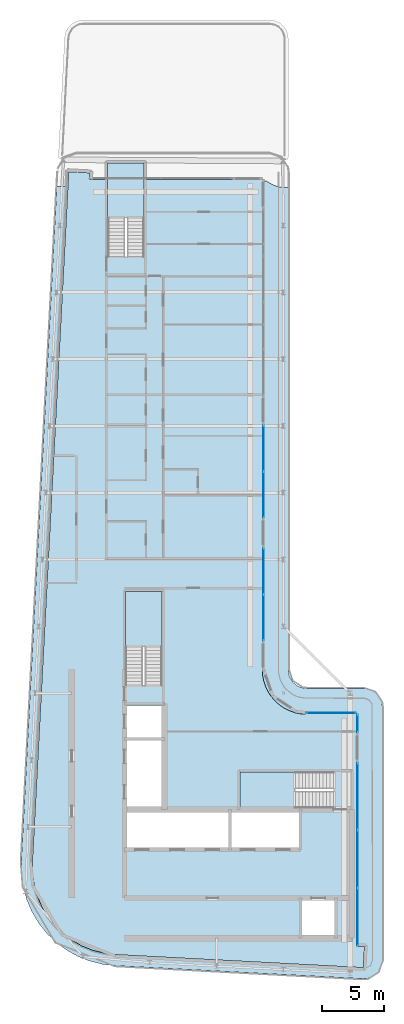
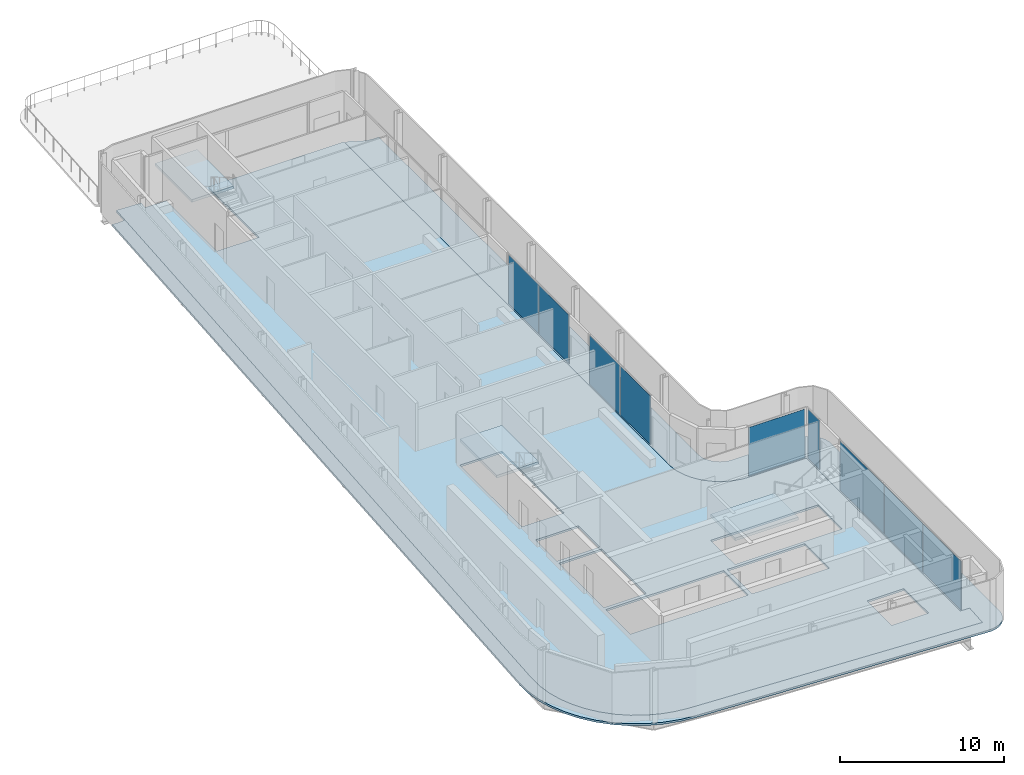
# One storey, part 7 of 15: 9 plates, 5 slabs, 9 elements without a shape of their own.
"""IFC4 building model written with IfcOpenShell, lengths in metres."""

from ifc_helpers import new_model, si_unit, direction, frame, origin, origin_2d, place, context, subcontext, project, spatial, polyline, rectangle, outline, extrude, material, layer, layer_set, type_object, element, aggregate, save


model = new_model("IFC4")

# Units and contexts
model_context = context("Model", 3, precision=1e-05, world=origin(), true_north=direction((0.0, 1.0)))
body_context = subcontext(model_context, "Body", "Model", "MODEL_VIEW")
ifc_project = project(units=[si_unit("LENGTHUNIT", "METRE"), si_unit("AREAUNIT", "SQUARE_METRE"), si_unit("VOLUMEUNIT", "CUBIC_METRE"), si_unit("PLANEANGLEUNIT", "RADIAN"), si_unit("MASSUNIT", "GRAM", prefix="KILO")], contexts=[model_context])

# Site, building, storey
site_placement = place(None, origin())
site = spatial("IfcSite", under=ifc_project, at=site_placement, CompositionType="ELEMENT")
building_placement = place(site_placement, origin())
building = spatial("IfcBuilding", under=site, at=building_placement, Name="Kheshtan School and Residences Tower", CompositionType="ELEMENT")
storey_placement = place(building_placement, frame((0.0, 0.0, 338.300048828125)))
storey = spatial("IfcBuildingStorey", under=building, at=storey_placement, Name="L79", CompositionType="ELEMENT", Elevation=338.300048828125)

# Curtain wall, plate
ifc_material_1 = material(Name="Clear low-e glass in thermally broken aluminium frame", Category="aluminium")
ifc_layer_1 = layer(ifc_material_1, 0.199951171875)
ifc_layer_set_1 = layer_set([ifc_layer_1], Name="Curtain wall CW-B")
curtain_wall_type_1 = type_object("IfcCurtainWallType", Name="Curtain wall CW-B", PredefinedType="NOTDEFINED", material=ifc_layer_set_1)
curtain_wall_1_placement = place(storey_placement, origin())
curtain_wall_1 = element("IfcCurtainWall", 1, at=curtain_wall_1_placement, inside=storey, type_object=curtain_wall_type_1, Name="Curtain wall CWB8", PredefinedType="NOTDEFINED")
ifc_layer_2 = layer(ifc_material_1, 0.031982421875)
ifc_layer_set_2 = layer_set([ifc_layer_2], Name="CW-B glass panel")
plate_type_1 = type_object("IfcPlateType", Name="CW-B glass panel", PredefinedType="CURTAIN_PANEL", material=ifc_layer_set_2)
plate_1_placement = place(storey_placement, frame((51.465087890625, 44.0, 0.0), z_axis=(0.0, 0.0, 1.0), x_axis=(1.0, 0.0, 0.0)))
plate_1 = element("IfcPlate", 2, at=plate_1_placement, type_object=plate_type_1, Name="CWB8 panel 1.1", PredefinedType="CURTAIN_PANEL", context=body_context, shape_type="SweptSolid", body=[
    extrude(rectangle(XDim=3.949951171875, YDim=0.031982421875, at=origin_2d()), origin(), (0.0, 0.0, 1.0), 3.6298828125),
])
aggregate(curtain_wall_1, [plate_1])

# Curtain wall, plates
ifc_layer_3 = layer(ifc_material_1, 0.199951171875)
ifc_layer_set_3 = layer_set([ifc_layer_3], Name="Curtain wall CW-L")
curtain_wall_type_2 = type_object("IfcCurtainWallType", Name="Curtain wall CW-L", PredefinedType="NOTDEFINED", material=ifc_layer_set_3)
curtain_wall_2_placement = place(storey_placement, origin())
curtain_wall_2 = element("IfcCurtainWall", 3, at=curtain_wall_2_placement, inside=storey, type_object=curtain_wall_type_2, Name="Curtain wall CWL4a", PredefinedType="NOTDEFINED")
ifc_layer_4 = layer(ifc_material_1, 0.031982421875)
ifc_layer_set_4 = layer_set([ifc_layer_4], Name="CW-L glass panel")
plate_type_2 = type_object("IfcPlateType", Name="CW-L glass panel", PredefinedType="CURTAIN_PANEL", material=ifc_layer_set_4)
plate_2_placement = place(storey_placement, frame((46.0, 65.37060546875, 0.0), z_axis=(0.0, 0.0, 1.0), x_axis=(0.0, -1.0, 0.0)))
plate_2 = element("IfcPlate", 4, at=plate_2_placement, type_object=plate_type_2, Name="CWL4a panel 1.1", PredefinedType="CURTAIN_PANEL", context=body_context, shape_type="SweptSolid", body=[
    extrude(rectangle(XDim=3.668701171875, YDim=0.031982421875, at=origin_2d()), origin(), (0.0, 0.0, 1.0), 3.6298828125),
])
plate_3_placement = place(storey_placement, frame((46.0, 61.641845703125, 0.0), z_axis=(0.0, 0.0, 1.0), x_axis=(0.0, -1.0, 0.0)))
plate_3 = element("IfcPlate", 5, at=plate_3_placement, type_object=plate_type_2, Name="CWL4a panel 2.1", PredefinedType="CURTAIN_PANEL", context=body_context, shape_type="SweptSolid", body=[
    extrude(rectangle(XDim=3.668701171875, YDim=0.031982421875, at=origin_2d()), origin(), (0.0, 0.0, 1.0), 3.6298828125),
])
aggregate(curtain_wall_2, [plate_2, plate_3])

curtain_wall_3_placement = place(storey_placement, origin())
curtain_wall_3 = element("IfcCurtainWall", 6, at=curtain_wall_3_placement, inside=storey, type_object=curtain_wall_type_2, Name="Curtain wall CWL4a", PredefinedType="NOTDEFINED")
plate_4_placement = place(storey_placement, frame((46.0, 55.453125, 0.0), z_axis=(0.0, 0.0, 1.0), x_axis=(0.0, -1.0, 0.0)))
plate_4 = element("IfcPlate", 7, at=plate_4_placement, type_object=plate_type_2, Name="CWL4a panel 1.1", PredefinedType="CURTAIN_PANEL", context=body_context, shape_type="SweptSolid", body=[
    extrude(rectangle(XDim=3.668701171875, YDim=0.031982421875, at=origin_2d()), origin(), (0.0, 0.0, 1.0), 3.6298828125),
])
plate_5_placement = place(storey_placement, frame((46.0, 51.724365234375, 0.0), z_axis=(0.0, 0.0, 1.0), x_axis=(0.0, -1.0, 0.0)))
plate_5 = element("IfcPlate", 8, at=plate_5_placement, type_object=plate_type_2, Name="CWL4a panel 2.1", PredefinedType="CURTAIN_PANEL", context=body_context, shape_type="SweptSolid", body=[
    extrude(rectangle(XDim=3.668701171875, YDim=0.031982421875, at=origin_2d()), origin(), (0.0, 0.0, 1.0), 3.6298828125),
])
aggregate(curtain_wall_3, [plate_4, plate_5])

# Curtain wall, plate
curtain_wall_4_placement = place(storey_placement, origin())
curtain_wall_4 = element("IfcCurtainWall", 9, at=curtain_wall_4_placement, inside=storey, type_object=curtain_wall_type_2, Name="Curtain wall CWL9b", PredefinedType="NOTDEFINED")
plate_6_placement = place(storey_placement, frame((53.60009765625, 43.14990234375, 0.0), z_axis=(0.0, 0.0, 1.0), x_axis=(0.0, -1.0, 0.0)))
plate_6 = element("IfcPlate", 10, at=plate_6_placement, type_object=plate_type_2, Name="CWL9b panel 1.1", PredefinedType="CURTAIN_PANEL", context=body_context, shape_type="SweptSolid", body=[
    extrude(rectangle(XDim=1.3798828125, YDim=0.031982421875, at=origin_2d()), origin(), (0.0, 0.0, 1.0), 3.6298828125),
])
aggregate(curtain_wall_4, [plate_6])

curtain_wall_5_placement = place(storey_placement, origin())
curtain_wall_5 = element("IfcCurtainWall", 11, at=curtain_wall_5_placement, inside=storey, type_object=curtain_wall_type_2, Name="Curtain wall CWL9c", PredefinedType="NOTDEFINED")
plate_7_placement = place(storey_placement, frame((53.60009765625, 37.263916015625, 0.0), z_axis=(0.0, 0.0, 1.0), x_axis=(0.0, -1.0, 0.0)))
plate_7 = element("IfcPlate", 12, at=plate_7_placement, type_object=plate_type_2, Name="CWL9c panel 1.1", PredefinedType="CURTAIN_PANEL", context=body_context, shape_type="SweptSolid", body=[
    extrude(rectangle(XDim=5.35205078125, YDim=0.031982421875, at=origin_2d()), origin(), (0.0, 0.0, 1.0), 3.6298828125),
])
aggregate(curtain_wall_5, [plate_7])

# Curtain wall, plates
curtain_wall_6_placement = place(storey_placement, origin())
curtain_wall_6 = element("IfcCurtainWall", 13, at=curtain_wall_6_placement, inside=storey, type_object=curtain_wall_type_2, Name="Curtain wall CWL9d", PredefinedType="NOTDEFINED")
plate_8_placement = place(storey_placement, frame((53.60009765625, 32.199951171875, 0.0), z_axis=(0.0, 0.0, 1.0), x_axis=(0.0, -1.0, 0.0)))
plate_8 = element("IfcPlate", 14, at=plate_8_placement, type_object=plate_type_2, Name="CWL9d panel 1.1", PredefinedType="CURTAIN_PANEL", context=body_context, shape_type="SweptSolid", body=[
    extrude(rectangle(XDim=4.656005859375, YDim=0.031982421875, at=origin_2d()), origin(), (0.0, 0.0, 1.0), 3.6298828125),
])
plate_9_placement = place(storey_placement, frame((53.60009765625, 27.513916015625, 0.0), z_axis=(0.0, 0.0, 1.0), x_axis=(0.0, -1.0, 0.0)))
plate_9 = element("IfcPlate", 15, at=plate_9_placement, type_object=plate_type_2, Name="CWL9d panel 2.1", PredefinedType="CURTAIN_PANEL", context=body_context, shape_type="SweptSolid", body=[
    extrude(rectangle(XDim=4.595947265625, YDim=0.031982421875, at=origin_2d()), origin(), (0.0, 0.0, 1.0), 3.6298828125),
])
aggregate(curtain_wall_6, [plate_8, plate_9])

# Slabs
ifc_material_2 = material(Name="Concrete C40/50", Category="concrete")
ifc_layer_5 = layer(ifc_material_2, 0.14990234375)
ifc_layer_set_5 = layer_set([ifc_layer_5], Name="Floor slab 150 Concrete C40/50")
slab_type_1 = type_object("IfcSlabType", Name="Floor slab 150 Concrete C40/50", PredefinedType="FLOOR", material=ifc_layer_set_5)
slab_1_placement = place(storey_placement, frame((0.0, 0.0, -0.150146484375)))
element("IfcSlab", 16, at=slab_1_placement, inside=storey, type_object=slab_type_1, Name="Floor slab L79", PredefinedType="FLOOR", context=body_context, shape_type="SweptSolid", body=[
    extrude(outline(polyline([(28.55908203125, 27.550048828125), (28.0849609375, 28.345947265625), (27.718017578125, 29.200927734375), (27.466064453125, 30.093017578125), (27.466064453125, 30.093994140625), (27.3330078125, 31.013916015625), (27.320068359375, 31.965087890625), (27.320068359375, 31.970947265625), (30.25390625, 87.700927734375), (30.2548828125, 87.7080078125), (30.258056640625, 87.73095703125), (30.258056640625, 87.73193359375), (30.259033203125, 87.73193359375), (30.85400390625, 87.699951171875), (30.85498046875, 87.699951171875), (30.85498046875, 87.698974609375), (30.85498046875, 87.695068359375), (30.85498046875, 87.694091796875), (30.85595703125, 87.694091796875), (30.85595703125, 87.693115234375), (30.85693359375, 87.693115234375), (30.85791015625, 87.693115234375), (30.85791015625, 87.694091796875), (30.860107421875, 87.696044921875), (30.861083984375, 87.697021484375), (30.862060546875, 87.697998046875), (30.863037109375, 87.697998046875), (30.863037109375, 87.698974609375), (30.864013671875, 87.698974609375), (30.864013671875, 87.699951171875), (30.864990234375, 87.699951171875), (30.866943359375, 87.700927734375), (30.867919921875, 87.701904296875), (30.87109375, 87.701904296875), (30.8720703125, 87.701904296875), (30.8720703125, 87.702880859375), (30.873046875, 87.702880859375), (30.8779296875, 87.702880859375), (31.93310546875, 87.64697265625), (31.93603515625, 87.64697265625), (31.93701171875, 87.64697265625), (31.93701171875, 87.64599609375), (31.93798828125, 87.64599609375), (31.94189453125, 87.64599609375), (31.94189453125, 87.64501953125), (31.943115234375, 87.64501953125), (31.943115234375, 87.64404296875), (31.944091796875, 87.64404296875), (31.944091796875, 87.64306640625), (31.945068359375, 87.64306640625), (31.946044921875, 87.64306640625), (31.946044921875, 87.64208984375), (31.947021484375, 87.64208984375), (31.947998046875, 87.64208984375), (31.947998046875, 87.64111328125), (31.949951171875, 87.638916015625), (31.950927734375, 87.638916015625), (31.950927734375, 87.637939453125), (31.950927734375, 87.636962890625), (31.951904296875, 87.636962890625), (31.951904296875, 87.635986328125), (31.952880859375, 87.635986328125), (31.952880859375, 87.634033203125), (31.952880859375, 87.633056640625), (31.9541015625, 87.633056640625), (31.9541015625, 87.632080078125), (31.955078125, 87.632080078125), (31.955078125, 87.631103515625), (31.955078125, 87.62890625), (31.955078125, 87.6279296875), (31.9560546875, 87.6279296875), (31.9560546875, 87.626953125), (31.9560546875, 87.6220703125), (31.928955078125, 87.12109375), (31.928955078125, 87.117919921875), (31.928955078125, 87.116943359375), (31.927978515625, 87.116943359375), (31.927978515625, 87.115966796875), (31.927978515625, 87.112060546875), (31.927001953125, 87.111083984375), (31.927001953125, 87.110107421875), (31.926025390625, 87.110107421875), (31.926025390625, 87.10888671875), (31.925048828125, 87.10888671875), (31.925048828125, 87.10791015625), (31.924072265625, 87.10693359375), (31.922119140625, 87.10498046875), (31.9208984375, 87.10400390625), (31.919921875, 87.10400390625), (31.919921875, 87.10302734375), (31.919921875, 87.10205078125), (31.919921875, 87.10107421875), (31.9208984375, 87.10107421875), (31.9208984375, 87.10009765625), (31.922119140625, 87.10009765625), (33.39990234375, 87.10009765625), (33.39990234375, 80.909912109375), (34.800048828125, 80.909912109375), (34.800048828125, 80.89990234375), (36.35009765625, 80.89990234375), (36.35009765625, 87.10009765625), (45.85498046875, 87.10009765625), (45.864990234375, 87.097900390625), (45.865966796875, 87.097900390625), (45.868896484375, 87.095947265625), (45.8740234375, 87.093994140625), (45.8779296875, 87.092041015625), (45.881103515625, 87.090087890625), (45.881103515625, 87.089111328125), (45.882080078125, 87.089111328125), (45.882080078125, 87.087890625), (45.883056640625, 87.087890625), (45.884033203125, 87.0849609375), (45.885009765625, 87.0849609375), (45.885009765625, 87.083984375), (45.887939453125, 87.0830078125), (45.887939453125, 87.08203125), (45.888916015625, 87.08203125), (45.888916015625, 87.0810546875), (45.889892578125, 87.0810546875), (45.89208984375, 87.077880859375), (45.89404296875, 87.073974609375), (45.89599609375, 87.069091796875), (45.89794921875, 87.06591796875), (45.89794921875, 87.06494140625), (45.89990234375, 87.054931640625), (45.89990234375, 47.429931640625), (45.927001953125, 47.030029296875), (46.01806640625, 46.570068359375), (46.01806640625, 46.569091796875), (46.169921875, 46.1201171875), (46.37890625, 45.697021484375), (46.638916015625, 45.30810546875), (46.949951171875, 44.950927734375), (46.950927734375, 44.949951171875), (47.30810546875, 44.638916015625), (47.697021484375, 44.37890625), (48.1201171875, 44.169921875), (48.569091796875, 44.01806640625), (48.570068359375, 44.01806640625), (49.030029296875, 43.927001953125), (49.429931640625, 43.89990234375), (53.455078125, 43.89990234375), (53.465087890625, 43.89794921875), (53.466064453125, 43.89794921875), (53.468994140625, 43.89599609375), (53.47412109375, 43.89404296875), (53.47802734375, 43.89208984375), (53.48095703125, 43.889892578125), (53.48095703125, 43.888916015625), (53.48193359375, 43.888916015625), (53.48193359375, 43.887939453125), (53.48291015625, 43.887939453125), (53.48388671875, 43.885009765625), (53.485107421875, 43.885009765625), (53.485107421875, 43.884033203125), (53.488037109375, 43.883056640625), (53.488037109375, 43.882080078125), (53.489013671875, 43.882080078125), (53.489013671875, 43.881103515625), (53.489990234375, 43.881103515625), (53.491943359375, 43.8779296875), (53.493896484375, 43.8740234375), (53.49609375, 43.868896484375), (53.498046875, 43.865966796875), (53.498046875, 43.864990234375), (53.4990234375, 43.860107421875), (53.5, 43.85498046875), (53.5, 25.15087890625), (53.5, 25.14990234375), (53.5009765625, 25.14990234375), (53.5009765625, 25.14892578125), (53.501953125, 25.14892578125), (53.5029296875, 25.14892578125), (53.5029296875, 25.14990234375), (53.506103515625, 25.153076171875), (53.507080078125, 25.154052734375), (53.508056640625, 25.154052734375), (53.508056640625, 25.155029296875), (53.509033203125, 25.155029296875), (53.509033203125, 25.156005859375), (53.512939453125, 25.157958984375), (53.51611328125, 25.157958984375), (53.51708984375, 25.157958984375), (53.51708984375, 25.158935546875), (53.51806640625, 25.158935546875), (53.52294921875, 25.158935546875), (54.137939453125, 25.1259765625), (54.14111328125, 25.1259765625), (54.14208984375, 25.1259765625), (54.14208984375, 25.125), (54.14306640625, 25.125), (54.14697265625, 25.125), (54.14697265625, 25.1240234375), (54.14794921875, 25.1240234375), (54.14794921875, 25.123046875), (54.14892578125, 25.123046875), (54.14892578125, 25.1220703125), (54.14990234375, 25.1220703125), (54.15087890625, 25.1220703125), (54.15087890625, 25.12109375), (54.152099609375, 25.12109375), (54.153076171875, 25.12109375), (54.156005859375, 25.117919921875), (54.156005859375, 25.116943359375), (54.156005859375, 25.115966796875), (54.156982421875, 25.115966796875), (54.156982421875, 25.114990234375), (54.157958984375, 25.114990234375), (54.157958984375, 25.113037109375), (54.157958984375, 25.112060546875), (54.158935546875, 25.112060546875), (54.158935546875, 25.111083984375), (54.159912109375, 25.111083984375), (54.159912109375, 25.110107421875), (54.159912109375, 25.10791015625), (54.159912109375, 25.10693359375), (54.160888671875, 25.10693359375), (54.160888671875, 25.10595703125), (54.160888671875, 25.10107421875), (54.10498046875, 24.0439453125), (54.10498046875, 24.041015625), (54.10498046875, 24.0400390625), (54.10400390625, 24.0400390625), (54.10400390625, 24.0390625), (54.10400390625, 24.034912109375), (54.10302734375, 24.033935546875), (54.10302734375, 24.032958984375), (54.10205078125, 24.032958984375), (54.10205078125, 24.031982421875), (54.10107421875, 24.031982421875), (54.10107421875, 24.031005859375), (54.096923828125, 24.027099609375), (54.095947265625, 24.027099609375), (54.095947265625, 24.02587890625), (54.095947265625, 24.02490234375), (54.095947265625, 24.02392578125), (54.096923828125, 24.02392578125), (54.096923828125, 24.02294921875), (54.097900390625, 24.02294921875), (54.09912109375, 24.02294921875), (54.10009765625, 24.02294921875), (54.10009765625, 24.02197265625), (54.068115234375, 23.427001953125), (54.068115234375, 23.426025390625), (54.06689453125, 23.426025390625), (54.04296875, 23.425048828125), (54.0380859375, 23.425048828125), (34.056884765625, 24.47802734375), (33.114990234375, 24.590087890625), (32.215087890625, 24.819091796875), (32.214111328125, 24.819091796875), (31.35205078125, 25.1630859375), (30.541015625, 25.616943359375), (29.799072265625, 26.1708984375), (29.799072265625, 26.172119140625), (29.798095703125, 26.172119140625), (29.134033203125, 26.820068359375), (29.134033203125, 26.821044921875), (29.133056640625, 26.821044921875), (28.55908203125, 27.550048828125)]), holes=[polyline([(53.5009765625, 24.030029296875), (53.5, 24.030029296875), (53.5, 24.029052734375), (53.5, 24.02490234375), (53.5, 24.02392578125), (53.5009765625, 24.02392578125), (53.5009765625, 24.02294921875), (53.501953125, 24.02294921875), (53.506103515625, 24.02294921875), (53.507080078125, 24.02294921875), (53.507080078125, 24.02392578125), (53.508056640625, 24.02392578125), (53.508056640625, 24.02490234375), (53.508056640625, 24.02587890625), (53.507080078125, 24.02587890625), (53.50390625, 24.029052734375), (53.5029296875, 24.030029296875), (53.5029296875, 24.031005859375), (53.501953125, 24.031005859375), (53.5009765625, 24.031005859375), (53.5009765625, 24.030029296875)]), polyline([(30.85595703125, 87.10693359375), (30.85498046875, 87.10693359375), (30.85498046875, 87.10595703125), (30.85498046875, 87.10205078125), (30.85498046875, 87.10107421875), (30.85595703125, 87.10107421875), (30.85595703125, 87.10009765625), (30.85693359375, 87.10009765625), (30.861083984375, 87.10009765625), (30.862060546875, 87.10009765625), (30.862060546875, 87.10107421875), (30.863037109375, 87.10107421875), (30.863037109375, 87.10205078125), (30.863037109375, 87.10302734375), (30.862060546875, 87.10302734375), (30.861083984375, 87.10400390625), (30.860107421875, 87.10498046875), (30.85888671875, 87.10595703125), (30.85791015625, 87.10693359375), (30.85791015625, 87.10791015625), (30.85693359375, 87.10791015625), (30.85595703125, 87.10791015625), (30.85595703125, 87.10693359375)]), polyline([(51.72509765625, 28.925048828125), (49.125, 28.925048828125), (49.125, 25.925048828125), (51.72509765625, 25.925048828125), (51.72509765625, 28.925048828125)]), polyline([(43.175048828125, 33.074951171875), (43.175048828125, 36.074951171875), (34.875, 36.074951171875), (34.875, 33.074951171875), (43.175048828125, 33.074951171875)]), polyline([(43.425048828125, 36.074951171875), (43.425048828125, 33.074951171875), (48.875, 33.074951171875), (48.875, 36.074951171875), (43.425048828125, 36.074951171875)]), polyline([(51.64990234375, 37.699951171875), (51.64990234375, 39.25), (44.090087890625, 39.25), (44.090087890625, 36.300048828125), (51.639892578125, 36.300048828125), (51.639892578125, 37.699951171875), (51.64990234375, 37.699951171875)]), polyline([(37.875, 41.77490234375), (34.875, 41.77490234375), (34.875, 36.324951171875), (37.875, 36.324951171875), (37.875, 41.77490234375)]), polyline([(37.875, 44.625), (34.875, 44.625), (34.875, 42.02490234375), (37.875, 42.02490234375), (37.875, 44.625)]), polyline([(37.800048828125, 53.81005859375), (34.85009765625, 53.81005859375), (34.85009765625, 46.260009765625), (36.25, 46.260009765625), (36.25, 46.25), (37.800048828125, 46.25), (37.800048828125, 53.81005859375)])]), origin(), (0.0, 0.0, 1.0), 0.150146484375),
])
ifc_layer_6 = layer(ifc_material_2, 0.14990234375)
ifc_layer_set_6 = layer_set([ifc_layer_6], Name="Loggia balcony slab 150 Concrete C40/50")
slab_type_2 = type_object("IfcSlabType", Name="Loggia balcony slab 150 Concrete C40/50", PredefinedType="FLOOR", material=ifc_layer_set_6)
slab_2_placement = place(storey_placement, frame((0.0, 0.0, -0.150146484375)))
element("IfcSlab", 17, at=slab_2_placement, inside=storey, type_object=slab_type_2, Name="Loggia balcony slab L79", PredefinedType="FLOOR", context=body_context, shape_type="SweptSolid", body=[
    extrude(outline(polyline([(28.4609375, 26.219970703125), (28.4599609375, 26.219970703125), (28.4599609375, 26.220947265625), (28.458984375, 26.220947265625), (27.81494140625, 27.0390625), (27.281005859375, 27.93798828125), (26.867919921875, 28.89990234375), (26.583984375, 29.903076171875), (26.583984375, 29.906982421875), (26.43408203125, 30.943115234375), (26.419921875, 31.989013671875), (29.29296875, 86.56689453125), (29.29296875, 86.568115234375), (29.2939453125, 86.568115234375), (29.4619140625, 86.5439453125), (29.487060546875, 86.5419921875), (29.75, 86.537109375), (29.77490234375, 86.5380859375), (29.8701171875, 86.5439453125), (29.89404296875, 86.5458984375), (30.06005859375, 86.56591796875), (30.195068359375, 86.593017578125), (30.196044921875, 86.593017578125), (27.320068359375, 31.970947265625), (27.3330078125, 31.013916015625), (27.466064453125, 30.093994140625), (27.466064453125, 30.091064453125), (27.466064453125, 30.090087890625), (27.718017578125, 29.200927734375), (28.0849609375, 28.345947265625), (28.55908203125, 27.550048828125), (29.1298828125, 26.822998046875), (29.131103515625, 26.822998046875), (29.131103515625, 26.822021484375), (29.132080078125, 26.822021484375), (29.132080078125, 26.821044921875), (29.133056640625, 26.821044921875), (29.133056640625, 26.820068359375), (29.134033203125, 26.820068359375), (29.798095703125, 26.173095703125), (29.798095703125, 26.172119140625), (29.799072265625, 26.172119140625), (29.799072265625, 26.1708984375), (29.800048828125, 26.1708984375), (29.800048828125, 26.169921875), (29.801025390625, 26.169921875), (29.801025390625, 26.1689453125), (30.541015625, 25.616943359375), (31.35205078125, 25.1630859375), (32.2119140625, 24.819091796875), (32.212890625, 24.819091796875), (32.216064453125, 24.819091796875), (33.114990234375, 24.590087890625), (34.06591796875, 24.47705078125), (54.0380859375, 23.425048828125), (54.06494140625, 23.426025390625), (54.06591796875, 23.426025390625), (54.06689453125, 23.426025390625), (54.06689453125, 23.427001953125), (54.068115234375, 23.427001953125), (54.068115234375, 23.427978515625), (54.068115234375, 23.428955078125), (54.157958984375, 25.118896484375), (54.157958984375, 25.1201171875), (54.156982421875, 25.1201171875), (54.156982421875, 25.12109375), (54.156005859375, 25.12109375), (54.155029296875, 25.12109375), (53.5009765625, 25.156005859375), (53.5, 25.156005859375), (53.5, 25.156982421875), (53.5, 43.89794921875), (53.5, 43.89892578125), (53.4990234375, 43.89892578125), (53.4990234375, 43.89990234375), (53.498046875, 43.89990234375), (49.429931640625, 43.89990234375), (49.030029296875, 43.927001953125), (48.569091796875, 44.01806640625), (48.56494140625, 44.01806640625), (48.1201171875, 44.169921875), (47.697021484375, 44.37890625), (47.30810546875, 44.638916015625), (46.9541015625, 44.947021484375), (46.9541015625, 44.947998046875), (46.952880859375, 44.947998046875), (46.952880859375, 44.948974609375), (46.951904296875, 44.948974609375), (46.951904296875, 44.949951171875), (46.950927734375, 44.949951171875), (46.949951171875, 44.950927734375), (46.949951171875, 44.951904296875), (46.948974609375, 44.951904296875), (46.948974609375, 44.952880859375), (46.947998046875, 44.952880859375), (46.947998046875, 44.9541015625), (46.947021484375, 44.9541015625), (46.638916015625, 45.30810546875), (46.37890625, 45.697021484375), (46.169921875, 46.1201171875), (46.01806640625, 46.56494140625), (46.01806640625, 46.569091796875), (45.927001953125, 47.030029296875), (45.89990234375, 47.429931640625), (45.89990234375, 86.998046875), (45.89990234375, 86.9990234375), (45.90087890625, 86.9990234375), (46.237060546875, 86.9990234375), (46.27099609375, 86.970947265625), (46.291015625, 86.9560546875), (46.51904296875, 86.805908203125), (46.5400390625, 86.7939453125), (46.64794921875, 86.736083984375), (46.669921875, 86.72509765625), (46.930908203125, 86.614990234375), (46.9541015625, 86.60693359375), (47.137939453125, 86.551025390625), (47.138916015625, 86.551025390625), (47.14306640625, 86.551025390625), (47.1669921875, 86.544921875), (47.339111328125, 86.509033203125), (47.363037109375, 86.5048828125), (47.636962890625, 86.47705078125), (47.662109375, 86.47607421875), (47.837890625, 86.47607421875), (47.863037109375, 86.47705078125), (47.9990234375, 86.490966796875), (48.0, 86.490966796875), (48.0, 86.489990234375), (48.0, 47.5), (48.012939453125, 47.303955078125), (48.051025390625, 47.113037109375), (48.051025390625, 47.110107421875), (48.051025390625, 47.10888671875), (48.114013671875, 46.926025390625), (48.200927734375, 46.75), (48.31005859375, 46.5869140625), (48.43505859375, 46.44091796875), (48.43603515625, 46.44091796875), (48.43603515625, 46.43994140625), (48.43701171875, 46.43994140625), (48.43701171875, 46.43896484375), (48.43798828125, 46.43896484375), (48.43896484375, 46.43798828125), (48.43896484375, 46.43701171875), (48.43994140625, 46.43701171875), (48.43994140625, 46.43603515625), (48.44091796875, 46.43603515625), (48.44091796875, 46.43505859375), (48.5869140625, 46.31005859375), (48.75, 46.200927734375), (48.926025390625, 46.114013671875), (49.10888671875, 46.051025390625), (49.110107421875, 46.051025390625), (49.113037109375, 46.051025390625), (49.303955078125, 46.012939453125), (49.5, 46.0), (54.10009765625, 46.0), (54.2958984375, 45.987060546875), (54.488037109375, 45.948974609375), (54.491943359375, 45.948974609375), (54.674072265625, 45.885986328125), (54.844970703125, 45.801025390625), (54.845947265625, 45.801025390625), (54.846923828125, 45.801025390625), (54.847900390625, 45.801025390625), (54.847900390625, 45.802001953125), (54.84912109375, 45.802001953125), (54.84912109375, 45.802978515625), (54.85009765625, 45.802978515625), (54.85302734375, 45.802978515625), (54.85400390625, 45.802978515625), (54.85400390625, 45.802001953125), (54.85498046875, 45.802001953125), (54.85498046875, 45.801025390625), (54.85595703125, 45.801025390625), (54.85595703125, 45.800048828125), (54.85693359375, 45.800048828125), (54.85693359375, 45.799072265625), (55.011962890625, 45.696044921875), (55.012939453125, 45.696044921875), (55.012939453125, 45.695068359375), (55.013916015625, 45.695068359375), (55.013916015625, 45.694091796875), (55.013916015625, 45.68994140625), (55.013916015625, 45.68896484375), (55.014892578125, 45.68896484375), (55.014892578125, 45.68798828125), (55.01611328125, 45.68798828125), (55.01611328125, 45.68701171875), (55.157958984375, 45.56494140625), (55.157958984375, 45.56396484375), (55.158935546875, 45.56396484375), (55.158935546875, 45.56298828125), (55.159912109375, 45.56298828125), (55.159912109375, 45.56201171875), (55.160888671875, 45.56201171875), (55.162109375, 45.56103515625), (55.162109375, 45.56005859375), (55.1630859375, 45.56005859375), (55.1630859375, 45.55908203125), (55.1640625, 45.55908203125), (55.1640625, 45.55810546875), (55.1650390625, 45.55810546875), (55.284912109375, 45.41796875), (55.285888671875, 45.41796875), (55.285888671875, 45.4169921875), (55.287109375, 45.4169921875), (55.287109375, 45.416015625), (55.2880859375, 45.416015625), (55.2880859375, 45.4150390625), (55.2890625, 45.4150390625), (55.2890625, 45.4140625), (55.2900390625, 45.4140625), (55.2939453125, 45.4140625), (55.294921875, 45.4140625), (55.294921875, 45.4130859375), (55.2958984375, 45.4130859375), (55.2958984375, 45.412109375), (55.39697265625, 45.259033203125), (55.39794921875, 45.259033203125), (55.39794921875, 45.258056640625), (55.39892578125, 45.258056640625), (55.39892578125, 45.257080078125), (55.39990234375, 45.257080078125), (55.39990234375, 45.256103515625), (55.40087890625, 45.256103515625), (55.40087890625, 45.2548828125), (55.402099609375, 45.2548828125), (55.402099609375, 45.25390625), (55.403076171875, 45.25390625), (55.403076171875, 45.2529296875), (55.403076171875, 45.25), (55.403076171875, 45.2490234375), (55.402099609375, 45.2490234375), (55.402099609375, 45.248046875), (55.40087890625, 45.248046875), (55.40087890625, 45.2470703125), (55.40087890625, 45.243896484375), (55.40087890625, 45.242919921875), (55.486083984375, 45.073974609375), (55.549072265625, 44.89208984375), (55.549072265625, 44.887939453125), (55.5869140625, 44.696044921875), (55.60009765625, 44.5), (55.60009765625, 24.02294921875), (55.5859375, 23.821044921875), (55.544921875, 23.6220703125), (55.544921875, 23.617919921875), (55.47802734375, 23.430908203125), (55.385986328125, 23.25), (55.27099609375, 23.0849609375), (55.27099609375, 23.083984375), (55.27099609375, 23.0830078125), (55.27099609375, 23.08203125), (55.27197265625, 23.08203125), (55.27197265625, 23.0810546875), (55.27197265625, 23.0791015625), (55.27197265625, 23.077880859375), (55.27099609375, 23.077880859375), (55.27099609375, 23.076904296875), (55.137939453125, 22.93408203125), (55.135009765625, 22.930908203125), (55.134033203125, 22.930908203125), (55.134033203125, 22.929931640625), (55.133056640625, 22.929931640625), (55.131103515625, 22.929931640625), (55.1298828125, 22.929931640625), (55.1298828125, 22.930908203125), (55.12890625, 22.930908203125), (55.1279296875, 22.930908203125), (55.126953125, 22.930908203125), (54.97607421875, 22.805908203125), (54.803955078125, 22.698974609375), (54.618896484375, 22.615966796875), (54.427978515625, 22.55908203125), (54.424072265625, 22.55908203125), (54.22412109375, 22.528076171875), (54.02099609375, 22.52490234375), (33.989013671875, 23.580078125), (33.94091796875, 23.5859375), (33.93994140625, 23.5859375), (33.93994140625, 23.5849609375), (33.93896484375, 23.5849609375), (33.93896484375, 23.583984375), (33.93798828125, 23.583984375), (33.93798828125, 23.5830078125), (33.93701171875, 23.5830078125), (33.93701171875, 23.58203125), (33.93603515625, 23.58203125), (33.93505859375, 23.58203125), (32.952880859375, 23.697998046875), (32.949951171875, 23.697998046875), (32.948974609375, 23.697998046875), (32.948974609375, 23.698974609375), (32.947998046875, 23.698974609375), (32.947998046875, 23.699951171875), (32.947021484375, 23.699951171875), (32.947021484375, 23.700927734375), (32.947021484375, 23.702880859375), (32.947021484375, 23.7041015625), (32.946044921875, 23.7041015625), (32.946044921875, 23.705078125), (32.945068359375, 23.705078125), (31.93603515625, 23.9609375), (31.931884765625, 23.9609375), (30.964111328125, 24.34912109375), (30.051025390625, 24.860107421875), (29.216064453125, 25.48193359375), (29.216064453125, 25.48291015625), (29.215087890625, 25.48291015625), (29.215087890625, 25.48388671875), (29.214111328125, 25.48388671875), (29.214111328125, 25.485107421875), (29.212890625, 25.485107421875), (29.212890625, 25.486083984375), (29.2119140625, 25.486083984375), (28.462890625, 26.217041015625), (28.462890625, 26.218017578125), (28.4619140625, 26.218017578125), (28.4619140625, 26.218994140625), (28.4609375, 26.218994140625), (28.4609375, 26.219970703125)])), origin(), (0.0, 0.0, 1.0), 0.150146484375),
])

# Stair, slab
stair_type = type_object("IfcStairType", Name="Exit stair, half-turn", PredefinedType="HALF_TURN_STAIR", material=ifc_material_2)
stair_1_placement = place(storey_placement, origin())
stair_1 = element("IfcStair", 18, at=stair_1_placement, inside=storey, type_object=stair_type, Name="L79 Protected Exit Stair ST1", PredefinedType="HALF_TURN_STAIR")
ifc_layer_7 = layer(ifc_material_2, 0.199951171875)
ifc_layer_set_7 = layer_set([ifc_layer_7], Name="Stair landing 200 Concrete C40/50")
slab_type_3 = type_object("IfcSlabType", Name="Stair landing 200 Concrete C40/50", PredefinedType="LANDING", material=ifc_layer_set_7)
slab_3_placement = place(storey_placement, frame((0.0, 0.0, 1.75)))
slab_3 = element("IfcSlab", 19, at=slab_3_placement, type_object=slab_type_3, Name="ST1 landing 1", PredefinedType="LANDING", context=body_context, shape_type="SweptSolid", body=[
    extrude(outline(polyline([(48.570068359375, 39.25), (44.090087890625, 39.25), (44.090087890625, 36.300048828125), (48.570068359375, 36.300048828125), (48.570068359375, 39.25)])), origin(), (0.0, 0.0, 1.0), 0.199951171875),
])
aggregate(stair_1, [slab_3])

stair_2_placement = place(storey_placement, origin())
stair_2 = element("IfcStair", 20, at=stair_2_placement, inside=storey, type_object=stair_type, Name="L79 Protected Exit Stair ST2", PredefinedType="HALF_TURN_STAIR")
slab_4_placement = place(storey_placement, frame((0.0, 0.0, 1.75)))
slab_4 = element("IfcSlab", 21, at=slab_4_placement, type_object=slab_type_3, Name="ST2 landing 1", PredefinedType="LANDING", context=body_context, shape_type="SweptSolid", body=[
    extrude(outline(polyline([(37.800048828125, 49.330078125), (37.800048828125, 53.81005859375), (34.85009765625, 53.81005859375), (34.85009765625, 49.330078125), (37.800048828125, 49.330078125)])), origin(), (0.0, 0.0, 1.0), 0.199951171875),
])
aggregate(stair_2, [slab_4])

stair_3_placement = place(storey_placement, origin())
stair_3 = element("IfcStair", 22, at=stair_3_placement, inside=storey, type_object=stair_type, Name="L79 Protected Exit Stair ST3", PredefinedType="HALF_TURN_STAIR")
slab_5_placement = place(storey_placement, frame((0.0, 0.0, 1.75)))
slab_5 = element("IfcSlab", 23, at=slab_5_placement, type_object=slab_type_3, Name="ST3 landing 1", PredefinedType="LANDING", context=body_context, shape_type="SweptSolid", body=[
    extrude(outline(polyline([(36.35009765625, 83.97998046875), (36.35009765625, 88.4599609375), (33.39990234375, 88.4599609375), (33.39990234375, 83.97998046875), (36.35009765625, 83.97998046875)])), origin(), (0.0, 0.0, 1.0), 0.199951171875),
])
aggregate(stair_3, [slab_5])

save(model, "model.ifc")
